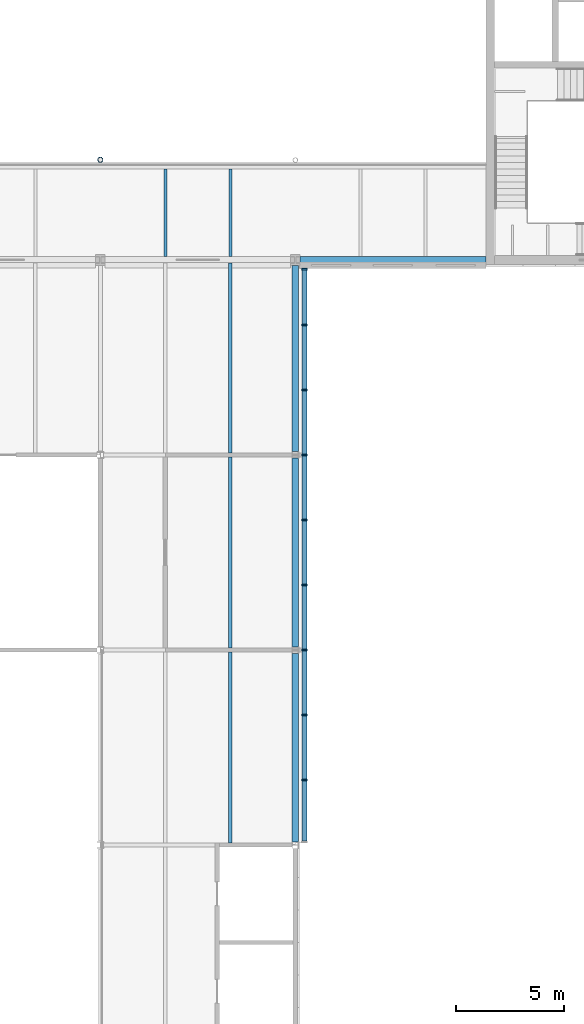
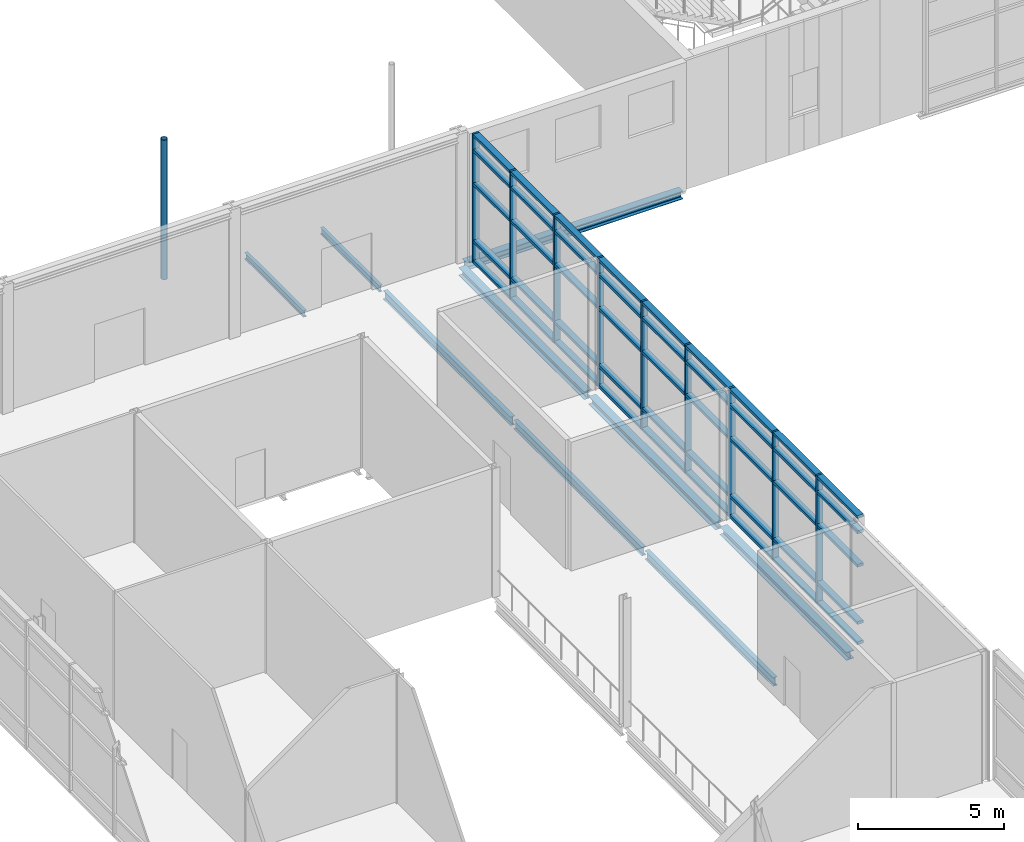
# One storey, part 22 of 46: 55 members, 9 beams, 1 element without a shape of its own.
"""IFC4 building model written with IfcOpenShell, lengths in metres."""

from ifc_helpers import new_model, si_unit, direction, frame, origin, origin_2d, place, context, subcontext, project, spatial, rectangle, hollow_circle, i_section, extrude, material, material_profile, profile_set, type_object, element, aggregate, save


model = new_model("IFC4")

# Units and contexts
model_context = context("Model", 3, precision=1e-05, world=origin(), true_north=direction((0.0, 1.0)))
body_context = subcontext(model_context, "Body", "Model", "MODEL_VIEW")
ifc_project = project(units=[si_unit("LENGTHUNIT", "METRE"), si_unit("AREAUNIT", "SQUARE_METRE"), si_unit("VOLUMEUNIT", "CUBIC_METRE"), si_unit("PLANEANGLEUNIT", "RADIAN"), si_unit("MASSUNIT", "GRAM", prefix="KILO")], contexts=[model_context])

# Site, building, storey
site_placement = place(None, origin())
site = spatial("IfcSite", under=ifc_project, at=site_placement, CompositionType="ELEMENT")
building_placement = place(site_placement, origin())
building = spatial("IfcBuilding", under=site, at=building_placement, Name="Azimuth Sports and Learning Centre", CompositionType="ELEMENT")
storey_placement = place(building_placement, frame((0.0, 0.0, 21.60009765625)))
storey = spatial("IfcBuildingStorey", under=building, at=storey_placement, Name="L04", CompositionType="ELEMENT", Elevation=21.60009765625)

# Beams
ifc_material_1 = material(Name="Steel S355", Category="steel")
ifc_material_profile_1 = material_profile(ifc_material_1, i_section(OverallWidth=0.300048828125, OverallDepth=0.330078125, WebThickness=0.009521484375, FlangeThickness=0.0166015625, FilletRadius=0.027099609375, at=origin_2d()), Name="HEA 340")
ifc_profile_set_1 = profile_set([ifc_material_profile_1], Name="Steel S355")
beam_type_1 = type_object("IfcBeamType", Name="Edge beam HEA 340", PredefinedType="SPANDREL", material=ifc_profile_set_1)
for number, where, z_axis, x_axis, name in (
    (1, (99.0, 63.14990234375, -0.315185546875), (0.0, 1.0, 0.0), (-1.0, 0.0, 0.0), "Edge beam L04 ST 45"),
    (2, (99.0, 72.14990234375, -0.315185546875), (0.0, 1.0, 0.0), (-1.0, 0.0, 0.0), "Edge beam L04 ST 46"),
):
    element("IfcBeam", number, at=place(storey_placement, frame(where, z_axis=z_axis, x_axis=x_axis)), inside=storey, type_object=beam_type_1, Name=name, PredefinedType="SPANDREL", context=body_context, shape_type="SweptSolid", body=[
        extrude(i_section(OverallWidth=0.300048828125, OverallDepth=0.330078125, WebThickness=0.009521484375, FlangeThickness=0.0166015625, FilletRadius=0.027099609375, at=origin_2d()), origin(), (0.0, 0.0, 1.0), 8.7001953125),
    ])
beam_1_placement = place(storey_placement, frame((99.0, 81.14990234375, -0.315185546875), z_axis=(0.0, 1.0, 0.0), x_axis=(-1.0, 0.0, 0.0)))
element("IfcBeam", 3, at=beam_1_placement, inside=storey, type_object=beam_type_1, Name="Edge beam L04 ST 47", PredefinedType="SPANDREL", context=body_context, shape_type="SweptSolid", body=[
    extrude(i_section(OverallWidth=0.300048828125, OverallDepth=0.330078125, WebThickness=0.009521484375, FlangeThickness=0.0166015625, FilletRadius=0.027099609375, at=origin_2d()), origin(), (0.0, 0.0, 1.0), 8.60107421875),
])
beam_2_placement = place(storey_placement, frame((99.216064453125, 90.0, -0.315185546875), z_axis=(1.0, 0.0, 0.0), x_axis=(0.0, 1.0, 0.0)))
element("IfcBeam", 4, at=beam_2_placement, inside=storey, type_object=beam_type_1, Name="Edge beam L04 HG 2", PredefinedType="SPANDREL", context=body_context, shape_type="SweptSolid", body=[
    extrude(i_section(OverallWidth=0.300048828125, OverallDepth=0.330078125, WebThickness=0.009521484375, FlangeThickness=0.0166015625, FilletRadius=0.027099609375, at=origin_2d()), origin(), (0.0, 0.0, 1.0), 8.583984375),
])
ifc_material_2 = material(Name="Steel S355", Category="steel")
ifc_material_profile_2 = material_profile(ifc_material_2, i_section(OverallWidth=0.135009765625, OverallDepth=0.27001953125, WebThickness=0.006591796875, FlangeThickness=0.01025390625, FilletRadius=0.014892578125, at=origin_2d()), Name="IPE 270")
ifc_profile_set_2 = profile_set([ifc_material_profile_2], Name="Steel S355")
beam_type_2 = type_object("IfcBeamType", Name="Joist IPE 270", PredefinedType="JOIST", material=ifc_profile_set_2)
for number, where, z_axis, x_axis, name in (
    (5, (93.0, 90.14990234375, -0.28515625), (0.0, 1.0, 0.0), (-1.0, 0.0, 0.0), "Joist L04 HG 10"),
    (6, (96.0, 90.14990234375, -0.28515625), (0.0, 1.0, 0.0), (-1.0, 0.0, 0.0), "Joist L04 HG 11"),
):
    element("IfcBeam", number, at=place(storey_placement, frame(where, z_axis=z_axis, x_axis=x_axis)), inside=storey, type_object=beam_type_2, Name=name, PredefinedType="JOIST", context=body_context, shape_type="SweptSolid", body=[
        extrude(i_section(OverallWidth=0.135009765625, OverallDepth=0.27001953125, WebThickness=0.006591796875, FlangeThickness=0.01025390625, FilletRadius=0.014892578125, at=origin_2d()), origin(), (0.0, 0.0, 1.0), 4.050048828125),
    ])
ifc_material_3 = material(Name="Steel S355", Category="steel")
ifc_material_profile_3 = material_profile(ifc_material_3, i_section(OverallWidth=0.169921875, OverallDepth=0.360107421875, WebThickness=0.008056640625, FlangeThickness=0.0126953125, FilletRadius=0.01806640625, at=origin_2d()), Name="IPE 360")
ifc_profile_set_3 = profile_set([ifc_material_profile_3], Name="Steel S355")
beam_type_3 = type_object("IfcBeamType", Name="Joist IPE 360", PredefinedType="JOIST", material=ifc_profile_set_3)
for number, where, z_axis, x_axis, name in (
    (7, (96.0, 63.10009765625, -0.330078125), (0.0, 1.0, 0.0), (-1.0, 0.0, 0.0), "Joist L04 ST 88"),
    (8, (96.0, 72.10009765625, -0.330078125), (0.0, 1.0, 0.0), (-1.0, 0.0, 0.0), "Joist L04 ST 89"),
):
    element("IfcBeam", number, at=place(storey_placement, frame(where, z_axis=z_axis, x_axis=x_axis)), inside=storey, type_object=beam_type_3, Name=name, PredefinedType="JOIST", context=body_context, shape_type="SweptSolid", body=[
        extrude(i_section(OverallWidth=0.169921875, OverallDepth=0.360107421875, WebThickness=0.008056640625, FlangeThickness=0.0126953125, FilletRadius=0.01806640625, at=origin_2d()), origin(), (0.0, 0.0, 1.0), 8.7998046875),
    ])
beam_3_placement = place(storey_placement, frame((96.0, 81.10009765625, -0.330078125), z_axis=(0.0, 1.0, 0.0), x_axis=(-1.0, 0.0, 0.0)))
element("IfcBeam", 9, at=beam_3_placement, inside=storey, type_object=beam_type_3, Name="Joist L04 ST 90", PredefinedType="JOIST", context=body_context, shape_type="SweptSolid", body=[
    extrude(i_section(OverallWidth=0.169921875, OverallDepth=0.360107421875, WebThickness=0.008056640625, FlangeThickness=0.0126953125, FilletRadius=0.01806640625, at=origin_2d()), origin(), (0.0, 0.0, 1.0), 8.75),
])

# Curtain wall, members
ifc_material_4 = material(Name="Aluminium and glass", Category="aluminium")
curtain_wall_type = type_object("IfcCurtainWallType", Name="Curtain wall podium stem 240", PredefinedType="NOTDEFINED", material=ifc_material_4)
curtain_wall_placement = place(storey_placement, origin())
curtain_wall = element("IfcCurtainWall", 10, at=curtain_wall_placement, inside=storey, type_object=curtain_wall_type, Name="Curtain wall CW04-008", PredefinedType="NOTDEFINED")
ifc_material_5 = material(Name="Aluminium", Category="aluminium")
ifc_material_profile_4 = material_profile(ifc_material_5, rectangle(XDim=0.239990234375, YDim=0.080078125, at=origin_2d()), Name="Mullion 80x240")
ifc_profile_set_4 = profile_set([ifc_material_profile_4], Name="Aluminium")
member_type_1 = type_object("IfcMemberType", Name="Mullion 80x240", PredefinedType="MULLION", material=ifc_profile_set_4)
member_1_placement = place(storey_placement, frame((99.419921875, 66.0, 0.0), z_axis=(0.0, 0.0, 1.0), x_axis=(-1.0, 0.0, 0.0)))
member_1 = element("IfcMember", 11, at=member_1_placement, type_object=member_type_1, Name="CW04-008 mullion 2", PredefinedType="MULLION", context=body_context, shape_type="SweptSolid", body=[
    extrude(rectangle(XDim=0.239990234375, YDim=0.080078125, at=origin_2d()), origin(), (0.0, 0.0, 1.0), 5.39990234375),
])
member_2_placement = place(storey_placement, frame((99.419921875, 69.0, 0.0), z_axis=(0.0, 0.0, 1.0), x_axis=(-1.0, 0.0, 0.0)))
member_2 = element("IfcMember", 12, at=member_2_placement, type_object=member_type_1, Name="CW04-008 mullion 3", PredefinedType="MULLION", context=body_context, shape_type="SweptSolid", body=[
    extrude(rectangle(XDim=0.239990234375, YDim=0.080078125, at=origin_2d()), origin(), (0.0, 0.0, 1.0), 5.39990234375),
])
member_3_placement = place(storey_placement, frame((99.419921875, 72.0, 0.0), z_axis=(0.0, 0.0, 1.0), x_axis=(-1.0, 0.0, 0.0)))
member_3 = element("IfcMember", 13, at=member_3_placement, type_object=member_type_1, Name="CW04-008 mullion 4", PredefinedType="MULLION", context=body_context, shape_type="SweptSolid", body=[
    extrude(rectangle(XDim=0.239990234375, YDim=0.080078125, at=origin_2d()), origin(), (0.0, 0.0, 1.0), 5.39990234375),
])
member_4_placement = place(storey_placement, frame((99.419921875, 75.0, 0.0), z_axis=(0.0, 0.0, 1.0), x_axis=(-1.0, 0.0, 0.0)))
member_4 = element("IfcMember", 14, at=member_4_placement, type_object=member_type_1, Name="CW04-008 mullion 5", PredefinedType="MULLION", context=body_context, shape_type="SweptSolid", body=[
    extrude(rectangle(XDim=0.239990234375, YDim=0.080078125, at=origin_2d()), origin(), (0.0, 0.0, 1.0), 5.39990234375),
])
member_5_placement = place(storey_placement, frame((99.419921875, 78.0, 0.0), z_axis=(0.0, 0.0, 1.0), x_axis=(-1.0, 0.0, 0.0)))
member_5 = element("IfcMember", 15, at=member_5_placement, type_object=member_type_1, Name="CW04-008 mullion 6", PredefinedType="MULLION", context=body_context, shape_type="SweptSolid", body=[
    extrude(rectangle(XDim=0.239990234375, YDim=0.080078125, at=origin_2d()), origin(), (0.0, 0.0, 1.0), 5.39990234375),
])
member_6_placement = place(storey_placement, frame((99.419921875, 81.0, 0.0), z_axis=(0.0, 0.0, 1.0), x_axis=(-1.0, 0.0, 0.0)))
member_6 = element("IfcMember", 16, at=member_6_placement, type_object=member_type_1, Name="CW04-008 mullion 7", PredefinedType="MULLION", context=body_context, shape_type="SweptSolid", body=[
    extrude(rectangle(XDim=0.239990234375, YDim=0.080078125, at=origin_2d()), origin(), (0.0, 0.0, 1.0), 5.39990234375),
])
member_7_placement = place(storey_placement, frame((99.419921875, 84.0, 0.0), z_axis=(0.0, 0.0, 1.0), x_axis=(-1.0, 0.0, 0.0)))
member_7 = element("IfcMember", 17, at=member_7_placement, type_object=member_type_1, Name="CW04-008 mullion 8", PredefinedType="MULLION", context=body_context, shape_type="SweptSolid", body=[
    extrude(rectangle(XDim=0.239990234375, YDim=0.080078125, at=origin_2d()), origin(), (0.0, 0.0, 1.0), 5.39990234375),
])
member_8_placement = place(storey_placement, frame((99.419921875, 87.0, 0.0), z_axis=(0.0, 0.0, 1.0), x_axis=(-1.0, 0.0, 0.0)))
member_8 = element("IfcMember", 18, at=member_8_placement, type_object=member_type_1, Name="CW04-008 mullion 9", PredefinedType="MULLION", context=body_context, shape_type="SweptSolid", body=[
    extrude(rectangle(XDim=0.239990234375, YDim=0.080078125, at=origin_2d()), origin(), (0.0, 0.0, 1.0), 5.39990234375),
])
member_9_placement = place(storey_placement, frame((99.419921875, 89.570068359375, 0.0), z_axis=(0.0, 0.0, 1.0), x_axis=(-1.0, 0.0, 0.0)))
member_9 = element("IfcMember", 19, at=member_9_placement, type_object=member_type_1, Name="CW04-008 mullion 10", PredefinedType="MULLION", context=body_context, shape_type="SweptSolid", body=[
    extrude(rectangle(XDim=0.239990234375, YDim=0.080078125, at=origin_2d()), origin(), (0.0, 0.0, 1.0), 5.39990234375),
])
ifc_material_6 = material(Name="Aluminium", Category="aluminium")
ifc_material_profile_5 = material_profile(ifc_material_6, rectangle(XDim=0.239990234375, YDim=0.1201171875, at=origin_2d()), Name="Transom 120x240")
ifc_profile_set_5 = profile_set([ifc_material_profile_5], Name="Aluminium")
member_type_2 = type_object("IfcMemberType", Name="Transom 120x240", PredefinedType="USERDEFINED", material=ifc_profile_set_5)
member_10_placement = place(storey_placement, frame((99.419921875, 63.179931640625, 0.059814453125), z_axis=(0.0, 1.0, 0.0), x_axis=(-1.0, 0.0, 0.0)))
member_10 = element("IfcMember", 20, at=member_10_placement, type_object=member_type_2, Name="CW04-008 transom 1.1", ObjectType="TRANSOM", PredefinedType="USERDEFINED", context=body_context, shape_type="SweptSolid", body=[
    extrude(rectangle(XDim=0.239990234375, YDim=0.1201171875, at=origin_2d()), origin(), (0.0, 0.0, 1.0), 2.780029296875),
])
member_11_placement = place(storey_placement, frame((99.419921875, 63.179931640625, 0.89990234375), z_axis=(0.0, 1.0, 0.0), x_axis=(-1.0, 0.0, 0.0)))
member_11 = element("IfcMember", 21, at=member_11_placement, type_object=member_type_2, Name="CW04-008 transom 1.2", ObjectType="TRANSOM", PredefinedType="USERDEFINED", context=body_context, shape_type="SweptSolid", body=[
    extrude(rectangle(XDim=0.239990234375, YDim=0.1201171875, at=origin_2d()), origin(), (0.0, 0.0, 1.0), 2.780029296875),
])
member_12_placement = place(storey_placement, frame((99.419921875, 63.179931640625, 3.2998046875), z_axis=(0.0, 1.0, 0.0), x_axis=(-1.0, 0.0, 0.0)))
member_12 = element("IfcMember", 22, at=member_12_placement, type_object=member_type_2, Name="CW04-008 transom 1.3", ObjectType="TRANSOM", PredefinedType="USERDEFINED", context=body_context, shape_type="SweptSolid", body=[
    extrude(rectangle(XDim=0.239990234375, YDim=0.1201171875, at=origin_2d()), origin(), (0.0, 0.0, 1.0), 2.780029296875),
])
member_13_placement = place(storey_placement, frame((99.419921875, 63.179931640625, 4.699951171875), z_axis=(0.0, 1.0, 0.0), x_axis=(-1.0, 0.0, 0.0)))
member_13 = element("IfcMember", 23, at=member_13_placement, type_object=member_type_2, Name="CW04-008 transom 1.4", ObjectType="TRANSOM", PredefinedType="USERDEFINED", context=body_context, shape_type="SweptSolid", body=[
    extrude(rectangle(XDim=0.239990234375, YDim=0.1201171875, at=origin_2d()), origin(), (0.0, 0.0, 1.0), 2.780029296875),
])
member_14_placement = place(storey_placement, frame((99.419921875, 63.179931640625, 5.33984375), z_axis=(0.0, 1.0, 0.0), x_axis=(-1.0, 0.0, 0.0)))
member_14 = element("IfcMember", 24, at=member_14_placement, type_object=member_type_2, Name="CW04-008 transom 1.5", ObjectType="TRANSOM", PredefinedType="USERDEFINED", context=body_context, shape_type="SweptSolid", body=[
    extrude(rectangle(XDim=0.239990234375, YDim=0.1201171875, at=origin_2d()), origin(), (0.0, 0.0, 1.0), 2.780029296875),
])
member_15_placement = place(storey_placement, frame((99.419921875, 66.0400390625, 0.059814453125), z_axis=(0.0, 1.0, 0.0), x_axis=(-1.0, 0.0, 0.0)))
member_15 = element("IfcMember", 25, at=member_15_placement, type_object=member_type_2, Name="CW04-008 transom 2.1", ObjectType="TRANSOM", PredefinedType="USERDEFINED", context=body_context, shape_type="SweptSolid", body=[
    extrude(rectangle(XDim=0.239990234375, YDim=0.1201171875, at=origin_2d()), origin(), (0.0, 0.0, 1.0), 2.919921875),
])
member_16_placement = place(storey_placement, frame((99.419921875, 66.0400390625, 0.89990234375), z_axis=(0.0, 1.0, 0.0), x_axis=(-1.0, 0.0, 0.0)))
member_16 = element("IfcMember", 26, at=member_16_placement, type_object=member_type_2, Name="CW04-008 transom 2.2", ObjectType="TRANSOM", PredefinedType="USERDEFINED", context=body_context, shape_type="SweptSolid", body=[
    extrude(rectangle(XDim=0.239990234375, YDim=0.1201171875, at=origin_2d()), origin(), (0.0, 0.0, 1.0), 2.919921875),
])
member_17_placement = place(storey_placement, frame((99.419921875, 66.0400390625, 3.2998046875), z_axis=(0.0, 1.0, 0.0), x_axis=(-1.0, 0.0, 0.0)))
member_17 = element("IfcMember", 27, at=member_17_placement, type_object=member_type_2, Name="CW04-008 transom 2.3", ObjectType="TRANSOM", PredefinedType="USERDEFINED", context=body_context, shape_type="SweptSolid", body=[
    extrude(rectangle(XDim=0.239990234375, YDim=0.1201171875, at=origin_2d()), origin(), (0.0, 0.0, 1.0), 2.919921875),
])
member_18_placement = place(storey_placement, frame((99.419921875, 66.0400390625, 4.699951171875), z_axis=(0.0, 1.0, 0.0), x_axis=(-1.0, 0.0, 0.0)))
member_18 = element("IfcMember", 28, at=member_18_placement, type_object=member_type_2, Name="CW04-008 transom 2.4", ObjectType="TRANSOM", PredefinedType="USERDEFINED", context=body_context, shape_type="SweptSolid", body=[
    extrude(rectangle(XDim=0.239990234375, YDim=0.1201171875, at=origin_2d()), origin(), (0.0, 0.0, 1.0), 2.919921875),
])
member_19_placement = place(storey_placement, frame((99.419921875, 66.0400390625, 5.33984375), z_axis=(0.0, 1.0, 0.0), x_axis=(-1.0, 0.0, 0.0)))
member_19 = element("IfcMember", 29, at=member_19_placement, type_object=member_type_2, Name="CW04-008 transom 2.5", ObjectType="TRANSOM", PredefinedType="USERDEFINED", context=body_context, shape_type="SweptSolid", body=[
    extrude(rectangle(XDim=0.239990234375, YDim=0.1201171875, at=origin_2d()), origin(), (0.0, 0.0, 1.0), 2.919921875),
])
member_20_placement = place(storey_placement, frame((99.419921875, 69.0400390625, 0.059814453125), z_axis=(0.0, 1.0, 0.0), x_axis=(-1.0, 0.0, 0.0)))
member_20 = element("IfcMember", 30, at=member_20_placement, type_object=member_type_2, Name="CW04-008 transom 3.1", ObjectType="TRANSOM", PredefinedType="USERDEFINED", context=body_context, shape_type="SweptSolid", body=[
    extrude(rectangle(XDim=0.239990234375, YDim=0.1201171875, at=origin_2d()), origin(), (0.0, 0.0, 1.0), 2.919921875),
])
member_21_placement = place(storey_placement, frame((99.419921875, 69.0400390625, 0.89990234375), z_axis=(0.0, 1.0, 0.0), x_axis=(-1.0, 0.0, 0.0)))
member_21 = element("IfcMember", 31, at=member_21_placement, type_object=member_type_2, Name="CW04-008 transom 3.2", ObjectType="TRANSOM", PredefinedType="USERDEFINED", context=body_context, shape_type="SweptSolid", body=[
    extrude(rectangle(XDim=0.239990234375, YDim=0.1201171875, at=origin_2d()), origin(), (0.0, 0.0, 1.0), 2.919921875),
])
member_22_placement = place(storey_placement, frame((99.419921875, 69.0400390625, 3.2998046875), z_axis=(0.0, 1.0, 0.0), x_axis=(-1.0, 0.0, 0.0)))
member_22 = element("IfcMember", 32, at=member_22_placement, type_object=member_type_2, Name="CW04-008 transom 3.3", ObjectType="TRANSOM", PredefinedType="USERDEFINED", context=body_context, shape_type="SweptSolid", body=[
    extrude(rectangle(XDim=0.239990234375, YDim=0.1201171875, at=origin_2d()), origin(), (0.0, 0.0, 1.0), 2.919921875),
])
member_23_placement = place(storey_placement, frame((99.419921875, 69.0400390625, 4.699951171875), z_axis=(0.0, 1.0, 0.0), x_axis=(-1.0, 0.0, 0.0)))
member_23 = element("IfcMember", 33, at=member_23_placement, type_object=member_type_2, Name="CW04-008 transom 3.4", ObjectType="TRANSOM", PredefinedType="USERDEFINED", context=body_context, shape_type="SweptSolid", body=[
    extrude(rectangle(XDim=0.239990234375, YDim=0.1201171875, at=origin_2d()), origin(), (0.0, 0.0, 1.0), 2.919921875),
])
member_24_placement = place(storey_placement, frame((99.419921875, 69.0400390625, 5.33984375), z_axis=(0.0, 1.0, 0.0), x_axis=(-1.0, 0.0, 0.0)))
member_24 = element("IfcMember", 34, at=member_24_placement, type_object=member_type_2, Name="CW04-008 transom 3.5", ObjectType="TRANSOM", PredefinedType="USERDEFINED", context=body_context, shape_type="SweptSolid", body=[
    extrude(rectangle(XDim=0.239990234375, YDim=0.1201171875, at=origin_2d()), origin(), (0.0, 0.0, 1.0), 2.919921875),
])
member_25_placement = place(storey_placement, frame((99.419921875, 72.0400390625, 0.059814453125), z_axis=(0.0, 1.0, 0.0), x_axis=(-1.0, 0.0, 0.0)))
member_25 = element("IfcMember", 35, at=member_25_placement, type_object=member_type_2, Name="CW04-008 transom 4.1", ObjectType="TRANSOM", PredefinedType="USERDEFINED", context=body_context, shape_type="SweptSolid", body=[
    extrude(rectangle(XDim=0.239990234375, YDim=0.1201171875, at=origin_2d()), origin(), (0.0, 0.0, 1.0), 2.919921875),
])
member_26_placement = place(storey_placement, frame((99.419921875, 72.0400390625, 0.89990234375), z_axis=(0.0, 1.0, 0.0), x_axis=(-1.0, 0.0, 0.0)))
member_26 = element("IfcMember", 36, at=member_26_placement, type_object=member_type_2, Name="CW04-008 transom 4.2", ObjectType="TRANSOM", PredefinedType="USERDEFINED", context=body_context, shape_type="SweptSolid", body=[
    extrude(rectangle(XDim=0.239990234375, YDim=0.1201171875, at=origin_2d()), origin(), (0.0, 0.0, 1.0), 2.919921875),
])
member_27_placement = place(storey_placement, frame((99.419921875, 72.0400390625, 3.2998046875), z_axis=(0.0, 1.0, 0.0), x_axis=(-1.0, 0.0, 0.0)))
member_27 = element("IfcMember", 37, at=member_27_placement, type_object=member_type_2, Name="CW04-008 transom 4.3", ObjectType="TRANSOM", PredefinedType="USERDEFINED", context=body_context, shape_type="SweptSolid", body=[
    extrude(rectangle(XDim=0.239990234375, YDim=0.1201171875, at=origin_2d()), origin(), (0.0, 0.0, 1.0), 2.919921875),
])
member_28_placement = place(storey_placement, frame((99.419921875, 72.0400390625, 4.699951171875), z_axis=(0.0, 1.0, 0.0), x_axis=(-1.0, 0.0, 0.0)))
member_28 = element("IfcMember", 38, at=member_28_placement, type_object=member_type_2, Name="CW04-008 transom 4.4", ObjectType="TRANSOM", PredefinedType="USERDEFINED", context=body_context, shape_type="SweptSolid", body=[
    extrude(rectangle(XDim=0.239990234375, YDim=0.1201171875, at=origin_2d()), origin(), (0.0, 0.0, 1.0), 2.919921875),
])
member_29_placement = place(storey_placement, frame((99.419921875, 72.0400390625, 5.33984375), z_axis=(0.0, 1.0, 0.0), x_axis=(-1.0, 0.0, 0.0)))
member_29 = element("IfcMember", 39, at=member_29_placement, type_object=member_type_2, Name="CW04-008 transom 4.5", ObjectType="TRANSOM", PredefinedType="USERDEFINED", context=body_context, shape_type="SweptSolid", body=[
    extrude(rectangle(XDim=0.239990234375, YDim=0.1201171875, at=origin_2d()), origin(), (0.0, 0.0, 1.0), 2.919921875),
])
member_30_placement = place(storey_placement, frame((99.419921875, 75.0400390625, 0.059814453125), z_axis=(0.0, 1.0, 0.0), x_axis=(-1.0, 0.0, 0.0)))
member_30 = element("IfcMember", 40, at=member_30_placement, type_object=member_type_2, Name="CW04-008 transom 5.1", ObjectType="TRANSOM", PredefinedType="USERDEFINED", context=body_context, shape_type="SweptSolid", body=[
    extrude(rectangle(XDim=0.239990234375, YDim=0.1201171875, at=origin_2d()), origin(), (0.0, 0.0, 1.0), 2.919921875),
])
member_31_placement = place(storey_placement, frame((99.419921875, 75.0400390625, 0.89990234375), z_axis=(0.0, 1.0, 0.0), x_axis=(-1.0, 0.0, 0.0)))
member_31 = element("IfcMember", 41, at=member_31_placement, type_object=member_type_2, Name="CW04-008 transom 5.2", ObjectType="TRANSOM", PredefinedType="USERDEFINED", context=body_context, shape_type="SweptSolid", body=[
    extrude(rectangle(XDim=0.239990234375, YDim=0.1201171875, at=origin_2d()), origin(), (0.0, 0.0, 1.0), 2.919921875),
])
member_32_placement = place(storey_placement, frame((99.419921875, 75.0400390625, 3.2998046875), z_axis=(0.0, 1.0, 0.0), x_axis=(-1.0, 0.0, 0.0)))
member_32 = element("IfcMember", 42, at=member_32_placement, type_object=member_type_2, Name="CW04-008 transom 5.3", ObjectType="TRANSOM", PredefinedType="USERDEFINED", context=body_context, shape_type="SweptSolid", body=[
    extrude(rectangle(XDim=0.239990234375, YDim=0.1201171875, at=origin_2d()), origin(), (0.0, 0.0, 1.0), 2.919921875),
])
member_33_placement = place(storey_placement, frame((99.419921875, 75.0400390625, 4.699951171875), z_axis=(0.0, 1.0, 0.0), x_axis=(-1.0, 0.0, 0.0)))
member_33 = element("IfcMember", 43, at=member_33_placement, type_object=member_type_2, Name="CW04-008 transom 5.4", ObjectType="TRANSOM", PredefinedType="USERDEFINED", context=body_context, shape_type="SweptSolid", body=[
    extrude(rectangle(XDim=0.239990234375, YDim=0.1201171875, at=origin_2d()), origin(), (0.0, 0.0, 1.0), 2.919921875),
])
member_34_placement = place(storey_placement, frame((99.419921875, 75.0400390625, 5.33984375), z_axis=(0.0, 1.0, 0.0), x_axis=(-1.0, 0.0, 0.0)))
member_34 = element("IfcMember", 44, at=member_34_placement, type_object=member_type_2, Name="CW04-008 transom 5.5", ObjectType="TRANSOM", PredefinedType="USERDEFINED", context=body_context, shape_type="SweptSolid", body=[
    extrude(rectangle(XDim=0.239990234375, YDim=0.1201171875, at=origin_2d()), origin(), (0.0, 0.0, 1.0), 2.919921875),
])
member_35_placement = place(storey_placement, frame((99.419921875, 78.0400390625, 0.059814453125), z_axis=(0.0, 1.0, 0.0), x_axis=(-1.0, 0.0, 0.0)))
member_35 = element("IfcMember", 45, at=member_35_placement, type_object=member_type_2, Name="CW04-008 transom 6.1", ObjectType="TRANSOM", PredefinedType="USERDEFINED", context=body_context, shape_type="SweptSolid", body=[
    extrude(rectangle(XDim=0.239990234375, YDim=0.1201171875, at=origin_2d()), origin(), (0.0, 0.0, 1.0), 2.919921875),
])
member_36_placement = place(storey_placement, frame((99.419921875, 78.0400390625, 0.89990234375), z_axis=(0.0, 1.0, 0.0), x_axis=(-1.0, 0.0, 0.0)))
member_36 = element("IfcMember", 46, at=member_36_placement, type_object=member_type_2, Name="CW04-008 transom 6.2", ObjectType="TRANSOM", PredefinedType="USERDEFINED", context=body_context, shape_type="SweptSolid", body=[
    extrude(rectangle(XDim=0.239990234375, YDim=0.1201171875, at=origin_2d()), origin(), (0.0, 0.0, 1.0), 2.919921875),
])
member_37_placement = place(storey_placement, frame((99.419921875, 78.0400390625, 3.2998046875), z_axis=(0.0, 1.0, 0.0), x_axis=(-1.0, 0.0, 0.0)))
member_37 = element("IfcMember", 47, at=member_37_placement, type_object=member_type_2, Name="CW04-008 transom 6.3", ObjectType="TRANSOM", PredefinedType="USERDEFINED", context=body_context, shape_type="SweptSolid", body=[
    extrude(rectangle(XDim=0.239990234375, YDim=0.1201171875, at=origin_2d()), origin(), (0.0, 0.0, 1.0), 2.919921875),
])
member_38_placement = place(storey_placement, frame((99.419921875, 78.0400390625, 4.699951171875), z_axis=(0.0, 1.0, 0.0), x_axis=(-1.0, 0.0, 0.0)))
member_38 = element("IfcMember", 48, at=member_38_placement, type_object=member_type_2, Name="CW04-008 transom 6.4", ObjectType="TRANSOM", PredefinedType="USERDEFINED", context=body_context, shape_type="SweptSolid", body=[
    extrude(rectangle(XDim=0.239990234375, YDim=0.1201171875, at=origin_2d()), origin(), (0.0, 0.0, 1.0), 2.919921875),
])
member_39_placement = place(storey_placement, frame((99.419921875, 78.0400390625, 5.33984375), z_axis=(0.0, 1.0, 0.0), x_axis=(-1.0, 0.0, 0.0)))
member_39 = element("IfcMember", 49, at=member_39_placement, type_object=member_type_2, Name="CW04-008 transom 6.5", ObjectType="TRANSOM", PredefinedType="USERDEFINED", context=body_context, shape_type="SweptSolid", body=[
    extrude(rectangle(XDim=0.239990234375, YDim=0.1201171875, at=origin_2d()), origin(), (0.0, 0.0, 1.0), 2.919921875),
])
member_40_placement = place(storey_placement, frame((99.419921875, 81.0400390625, 0.059814453125), z_axis=(0.0, 1.0, 0.0), x_axis=(-1.0, 0.0, 0.0)))
member_40 = element("IfcMember", 50, at=member_40_placement, type_object=member_type_2, Name="CW04-008 transom 7.1", ObjectType="TRANSOM", PredefinedType="USERDEFINED", context=body_context, shape_type="SweptSolid", body=[
    extrude(rectangle(XDim=0.239990234375, YDim=0.1201171875, at=origin_2d()), origin(), (0.0, 0.0, 1.0), 2.919921875),
])
member_41_placement = place(storey_placement, frame((99.419921875, 81.0400390625, 0.89990234375), z_axis=(0.0, 1.0, 0.0), x_axis=(-1.0, 0.0, 0.0)))
member_41 = element("IfcMember", 51, at=member_41_placement, type_object=member_type_2, Name="CW04-008 transom 7.2", ObjectType="TRANSOM", PredefinedType="USERDEFINED", context=body_context, shape_type="SweptSolid", body=[
    extrude(rectangle(XDim=0.239990234375, YDim=0.1201171875, at=origin_2d()), origin(), (0.0, 0.0, 1.0), 2.919921875),
])
member_42_placement = place(storey_placement, frame((99.419921875, 81.0400390625, 3.2998046875), z_axis=(0.0, 1.0, 0.0), x_axis=(-1.0, 0.0, 0.0)))
member_42 = element("IfcMember", 52, at=member_42_placement, type_object=member_type_2, Name="CW04-008 transom 7.3", ObjectType="TRANSOM", PredefinedType="USERDEFINED", context=body_context, shape_type="SweptSolid", body=[
    extrude(rectangle(XDim=0.239990234375, YDim=0.1201171875, at=origin_2d()), origin(), (0.0, 0.0, 1.0), 2.919921875),
])
member_43_placement = place(storey_placement, frame((99.419921875, 81.0400390625, 4.699951171875), z_axis=(0.0, 1.0, 0.0), x_axis=(-1.0, 0.0, 0.0)))
member_43 = element("IfcMember", 53, at=member_43_placement, type_object=member_type_2, Name="CW04-008 transom 7.4", ObjectType="TRANSOM", PredefinedType="USERDEFINED", context=body_context, shape_type="SweptSolid", body=[
    extrude(rectangle(XDim=0.239990234375, YDim=0.1201171875, at=origin_2d()), origin(), (0.0, 0.0, 1.0), 2.919921875),
])
member_44_placement = place(storey_placement, frame((99.419921875, 81.0400390625, 5.33984375), z_axis=(0.0, 1.0, 0.0), x_axis=(-1.0, 0.0, 0.0)))
member_44 = element("IfcMember", 54, at=member_44_placement, type_object=member_type_2, Name="CW04-008 transom 7.5", ObjectType="TRANSOM", PredefinedType="USERDEFINED", context=body_context, shape_type="SweptSolid", body=[
    extrude(rectangle(XDim=0.239990234375, YDim=0.1201171875, at=origin_2d()), origin(), (0.0, 0.0, 1.0), 2.919921875),
])
member_45_placement = place(storey_placement, frame((99.419921875, 84.0400390625, 0.059814453125), z_axis=(0.0, 1.0, 0.0), x_axis=(-1.0, 0.0, 0.0)))
member_45 = element("IfcMember", 55, at=member_45_placement, type_object=member_type_2, Name="CW04-008 transom 8.1", ObjectType="TRANSOM", PredefinedType="USERDEFINED", context=body_context, shape_type="SweptSolid", body=[
    extrude(rectangle(XDim=0.239990234375, YDim=0.1201171875, at=origin_2d()), origin(), (0.0, 0.0, 1.0), 2.919921875),
])
member_46_placement = place(storey_placement, frame((99.419921875, 84.0400390625, 0.89990234375), z_axis=(0.0, 1.0, 0.0), x_axis=(-1.0, 0.0, 0.0)))
member_46 = element("IfcMember", 56, at=member_46_placement, type_object=member_type_2, Name="CW04-008 transom 8.2", ObjectType="TRANSOM", PredefinedType="USERDEFINED", context=body_context, shape_type="SweptSolid", body=[
    extrude(rectangle(XDim=0.239990234375, YDim=0.1201171875, at=origin_2d()), origin(), (0.0, 0.0, 1.0), 2.919921875),
])
member_47_placement = place(storey_placement, frame((99.419921875, 84.0400390625, 3.2998046875), z_axis=(0.0, 1.0, 0.0), x_axis=(-1.0, 0.0, 0.0)))
member_47 = element("IfcMember", 57, at=member_47_placement, type_object=member_type_2, Name="CW04-008 transom 8.3", ObjectType="TRANSOM", PredefinedType="USERDEFINED", context=body_context, shape_type="SweptSolid", body=[
    extrude(rectangle(XDim=0.239990234375, YDim=0.1201171875, at=origin_2d()), origin(), (0.0, 0.0, 1.0), 2.919921875),
])
member_48_placement = place(storey_placement, frame((99.419921875, 84.0400390625, 4.699951171875), z_axis=(0.0, 1.0, 0.0), x_axis=(-1.0, 0.0, 0.0)))
member_48 = element("IfcMember", 58, at=member_48_placement, type_object=member_type_2, Name="CW04-008 transom 8.4", ObjectType="TRANSOM", PredefinedType="USERDEFINED", context=body_context, shape_type="SweptSolid", body=[
    extrude(rectangle(XDim=0.239990234375, YDim=0.1201171875, at=origin_2d()), origin(), (0.0, 0.0, 1.0), 2.919921875),
])
member_49_placement = place(storey_placement, frame((99.419921875, 84.0400390625, 5.33984375), z_axis=(0.0, 1.0, 0.0), x_axis=(-1.0, 0.0, 0.0)))
member_49 = element("IfcMember", 59, at=member_49_placement, type_object=member_type_2, Name="CW04-008 transom 8.5", ObjectType="TRANSOM", PredefinedType="USERDEFINED", context=body_context, shape_type="SweptSolid", body=[
    extrude(rectangle(XDim=0.239990234375, YDim=0.1201171875, at=origin_2d()), origin(), (0.0, 0.0, 1.0), 2.919921875),
])
member_50_placement = place(storey_placement, frame((99.419921875, 87.0400390625, 0.059814453125), z_axis=(0.0, 1.0, 0.0), x_axis=(-1.0, 0.0, 0.0)))
member_50 = element("IfcMember", 60, at=member_50_placement, type_object=member_type_2, Name="CW04-008 transom 9.1", ObjectType="TRANSOM", PredefinedType="USERDEFINED", context=body_context, shape_type="SweptSolid", body=[
    extrude(rectangle(XDim=0.239990234375, YDim=0.1201171875, at=origin_2d()), origin(), (0.0, 0.0, 1.0), 2.489990234375),
])
member_51_placement = place(storey_placement, frame((99.419921875, 87.0400390625, 0.89990234375), z_axis=(0.0, 1.0, 0.0), x_axis=(-1.0, 0.0, 0.0)))
member_51 = element("IfcMember", 61, at=member_51_placement, type_object=member_type_2, Name="CW04-008 transom 9.2", ObjectType="TRANSOM", PredefinedType="USERDEFINED", context=body_context, shape_type="SweptSolid", body=[
    extrude(rectangle(XDim=0.239990234375, YDim=0.1201171875, at=origin_2d()), origin(), (0.0, 0.0, 1.0), 2.489990234375),
])
member_52_placement = place(storey_placement, frame((99.419921875, 87.0400390625, 3.2998046875), z_axis=(0.0, 1.0, 0.0), x_axis=(-1.0, 0.0, 0.0)))
member_52 = element("IfcMember", 62, at=member_52_placement, type_object=member_type_2, Name="CW04-008 transom 9.3", ObjectType="TRANSOM", PredefinedType="USERDEFINED", context=body_context, shape_type="SweptSolid", body=[
    extrude(rectangle(XDim=0.239990234375, YDim=0.1201171875, at=origin_2d()), origin(), (0.0, 0.0, 1.0), 2.489990234375),
])
member_53_placement = place(storey_placement, frame((99.419921875, 87.0400390625, 4.699951171875), z_axis=(0.0, 1.0, 0.0), x_axis=(-1.0, 0.0, 0.0)))
member_53 = element("IfcMember", 63, at=member_53_placement, type_object=member_type_2, Name="CW04-008 transom 9.4", ObjectType="TRANSOM", PredefinedType="USERDEFINED", context=body_context, shape_type="SweptSolid", body=[
    extrude(rectangle(XDim=0.239990234375, YDim=0.1201171875, at=origin_2d()), origin(), (0.0, 0.0, 1.0), 2.489990234375),
])
member_54_placement = place(storey_placement, frame((99.419921875, 87.0400390625, 5.33984375), z_axis=(0.0, 1.0, 0.0), x_axis=(-1.0, 0.0, 0.0)))
member_54 = element("IfcMember", 64, at=member_54_placement, type_object=member_type_2, Name="CW04-008 transom 9.5", ObjectType="TRANSOM", PredefinedType="USERDEFINED", context=body_context, shape_type="SweptSolid", body=[
    extrude(rectangle(XDim=0.239990234375, YDim=0.1201171875, at=origin_2d()), origin(), (0.0, 0.0, 1.0), 2.489990234375),
])
aggregate(curtain_wall, [member_1, member_2, member_3, member_4, member_5, member_6, member_7, member_8, member_9, member_10, member_11, member_12, member_13, member_14, member_15, member_16, member_17, member_18, member_19, member_20, member_21, member_22, member_23, member_24, member_25, member_26, member_27, member_28, member_29, member_30, member_31, member_32, member_33, member_34, member_35, member_36, member_37, member_38, member_39, member_40, member_41, member_42, member_43, member_44, member_45, member_46, member_47, member_48, member_49, member_50, member_51, member_52, member_53, member_54])

# Member
ifc_material_7 = material(Name="Steel S355", Category="steel")
ifc_material_profile_6 = material_profile(ifc_material_7, hollow_circle(Radius=0.122314453125, WallThickness=0.012451171875, at=origin_2d()), Name="CHS 244.5x12.5")
ifc_profile_set_6 = profile_set([ifc_material_profile_6], Name="Steel S355")
member_type_3 = type_object("IfcMemberType", Name="Truss post CHS 244.5x12.5", PredefinedType="POST", material=ifc_profile_set_6)
member_55_placement = place(storey_placement, frame((90.0, 94.622314453125, -0.4501953125), z_axis=(0.0, 0.0, 1.0), x_axis=(1.0, 0.0, 0.0)))
element("IfcMember", 65, at=member_55_placement, inside=storey, type_object=member_type_3, Name="Gallery hanger TT-3", PredefinedType="POST", context=body_context, shape_type="SweptSolid", body=[
    extrude(hollow_circle(Radius=0.122314453125, WallThickness=0.012451171875, at=origin_2d()), origin(), (0.0, 0.0, 1.0), 5.85009765625),
])

save(model, "model.ifc")
